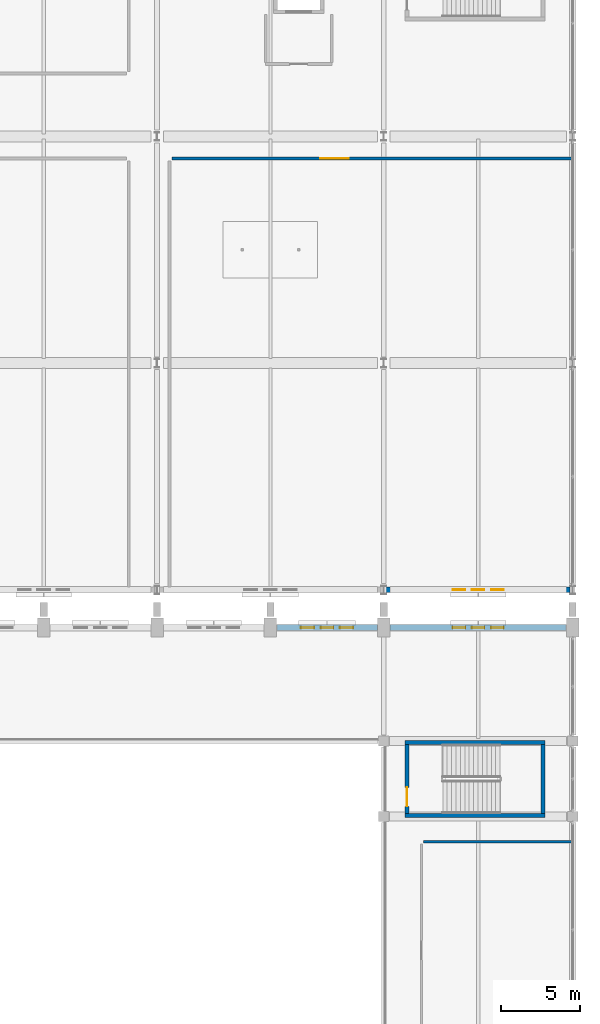
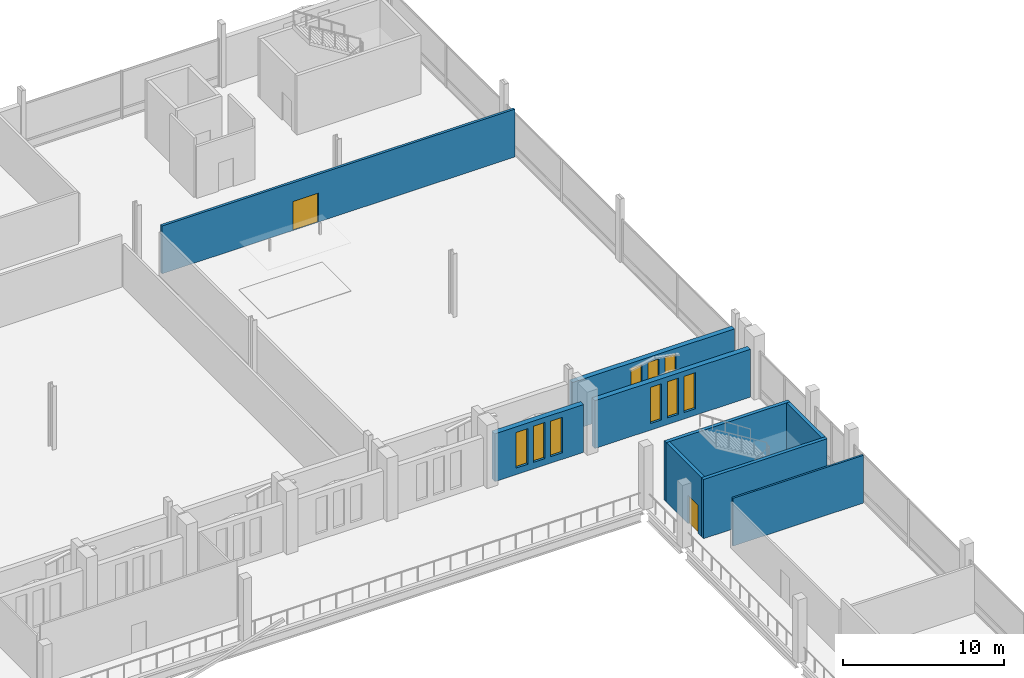
# One storey, part 168 of 220: 9 walls, 9 windows, 2 doors, 11 openings.
"""IFC4 building model written with IfcOpenShell, lengths in metres."""

from ifc_helpers import new_model, si_unit, direction, frame, frame_2d, origin, place, context, subcontext, project, spatial, rectangle, extrude, material, layer, layer_set, type_object, element, fill, save


model = new_model("IFC4")

# Units and contexts
model_context = context("Model", 3, precision=1e-05, world=origin(), true_north=direction((0.0, 1.0)))
body_context = subcontext(model_context, "Body", "Model", "MODEL_VIEW")
ifc_project = project(units=[si_unit("LENGTHUNIT", "METRE"), si_unit("AREAUNIT", "SQUARE_METRE"), si_unit("VOLUMEUNIT", "CUBIC_METRE"), si_unit("PLANEANGLEUNIT", "RADIAN"), si_unit("MASSUNIT", "GRAM", prefix="KILO")], contexts=[model_context])

# Site, building, storey
site_placement = place(None, origin())
site = spatial("IfcSite", under=ifc_project, at=site_placement, CompositionType="ELEMENT")
building_placement = place(site_placement, origin())
building = spatial("IfcBuilding", under=site, at=building_placement, Name="Cendralis Lancet Convention Centre", CompositionType="ELEMENT")
storey_placement = place(building_placement, frame((0.0, 0.0, 5.39990234375)))
storey = spatial("IfcBuildingStorey", under=building, at=storey_placement, Name="L01", CompositionType="ELEMENT", Elevation=5.39990234375)

# Wall, openings, windows
ifc_material_1 = material(Name="Buff sandstone ashlar and Concrete G40 (C40/50)", Category="masonry")
ifc_layer_1 = layer(ifc_material_1, 0.360107421875, Name="Buff sandstone ashlar and Concrete G40 (C40/50)")
ifc_layer_set_1 = layer_set([ifc_layer_1], Name="Buff sandstone ashlar and Concrete G40 (C40/50)")
wall_type_1 = type_object("IfcWallType", Name="ARC-EW-W360", PredefinedType="STANDARD", material=ifc_layer_set_1)
wall_1_placement = place(storey_placement, frame((208.64208984375, 93.60009765625, 0.0), z_axis=(0.0, 0.0, 1.0), x_axis=(-1.0, 0.0, 0.0)))
wall_1 = element("IfcWall", 1, at=wall_1_placement, inside=storey, type_object=wall_type_1, Name="L01 V3 Exterior Wall EW-04 #0155", PredefinedType="STANDARD", context=body_context, shape_type="SweptSolid", body=[
    extrude(rectangle(XDim=11.68408203125, YDim=0.360107421875, at=frame_2d((5.842041015625, 0.0))), origin(), (0.0, 0.0, 1.0), 3.635009765625),
])
opening_1_placement = place(wall_1_placement, frame((4.221923828125, 0.0, 0.5)))
opening_1 = element("IfcOpeningElement", 2, at=opening_1_placement, cuts=wall_1, Name="Opening WN-07", PredefinedType="OPENING", context=body_context, shape_type="SweptSolid", body=[
    extrude(rectangle(XDim=0.800048828125, YDim=2.75, at=frame_2d((0.39990234375, 1.375))), frame((0.0, 0.18994140625, 0.0), z_axis=(0.0, -1.0, 0.0), x_axis=(1.0, 0.0, 0.0)), (0.0, 0.0, 1.0), 0.380126953125),
])
opening_2_placement = place(wall_1_placement, frame((5.44189453125, 0.0, 0.5)))
opening_2 = element("IfcOpeningElement", 3, at=opening_2_placement, cuts=wall_1, Name="Opening WN-07", PredefinedType="OPENING", context=body_context, shape_type="SweptSolid", body=[
    extrude(rectangle(XDim=0.800048828125, YDim=2.75, at=frame_2d((0.39990234375, 1.375))), frame((0.0, 0.18994140625, 0.0), z_axis=(0.0, -1.0, 0.0), x_axis=(1.0, 0.0, 0.0)), (0.0, 0.0, 1.0), 0.380126953125),
])
opening_3_placement = place(wall_1_placement, frame((6.662109375, 0.0, 0.5)))
opening_3 = element("IfcOpeningElement", 4, at=opening_3_placement, cuts=wall_1, Name="Opening WN-07", PredefinedType="OPENING", context=body_context, shape_type="SweptSolid", body=[
    extrude(rectangle(XDim=0.800048828125, YDim=2.75, at=frame_2d((0.39990234375, 1.375))), frame((0.0, 0.18994140625, 0.0), z_axis=(0.0, -1.0, 0.0), x_axis=(1.0, 0.0, 0.0)), (0.0, 0.0, 1.0), 0.380126953125),
])
ifc_material_2 = material(Name="Double-glazed low-E solar-control glass", Category="glass")
window_type_1 = type_object("IfcWindowType", Name="ARC-WN-LW07", PartitioningType="SINGLE_PANEL", PredefinedType="WINDOW", material=ifc_material_2)
window_1_placement = place(opening_1_placement, origin())
window_1 = element("IfcWindow", 5, at=window_1_placement, inside=storey, type_object=window_type_1, Name="Gothic Lancet Window WN-07 #0302", OverallHeight=2.75, OverallWidth=0.800048828125, PartitioningType="SINGLE_PANEL", PredefinedType="WINDOW", context=body_context, shape_type="SweptSolid", body=[
    extrude(rectangle(XDim=0.800048828125, YDim=2.75, at=frame_2d((0.39990234375, 1.375))), frame((0.0, 0.030029296875, 0.0), z_axis=(0.0, -1.0, 0.0), x_axis=(1.0, 0.0, 0.0)), (0.0, 0.0, 1.0), 0.06005859375),
])
fill(opening_1, window_1)
window_2_placement = place(opening_2_placement, origin())
window_2 = element("IfcWindow", 6, at=window_2_placement, inside=storey, type_object=window_type_1, Name="Gothic Lancet Window WN-07 #0303", OverallHeight=2.75, OverallWidth=0.800048828125, PartitioningType="SINGLE_PANEL", PredefinedType="WINDOW", context=body_context, shape_type="SweptSolid", body=[
    extrude(rectangle(XDim=0.800048828125, YDim=2.75, at=frame_2d((0.39990234375, 1.375))), frame((0.0, 0.030029296875, 0.0), z_axis=(0.0, -1.0, 0.0), x_axis=(1.0, 0.0, 0.0)), (0.0, 0.0, 1.0), 0.06005859375),
])
fill(opening_2, window_2)
window_3_placement = place(opening_3_placement, origin())
window_3 = element("IfcWindow", 7, at=window_3_placement, inside=storey, type_object=window_type_1, Name="Gothic Lancet Window WN-07 #0304", OverallHeight=2.75, OverallWidth=0.800048828125, PartitioningType="SINGLE_PANEL", PredefinedType="WINDOW", context=body_context, shape_type="SweptSolid", body=[
    extrude(rectangle(XDim=0.800048828125, YDim=2.75, at=frame_2d((0.39990234375, 1.375))), frame((0.0, 0.030029296875, 0.0), z_axis=(0.0, -1.0, 0.0), x_axis=(1.0, 0.0, 0.0)), (0.0, 0.0, 1.0), 0.06005859375),
])
fill(opening_3, window_3)

ifc_layer_2 = layer(ifc_material_1, 0.3798828125, Name="Buff sandstone ashlar and Concrete G40 (C40/50)")
ifc_layer_set_2 = layer_set([ifc_layer_2], Name="Buff sandstone ashlar and Concrete G40 (C40/50)")
wall_type_2 = type_object("IfcWallType", Name="ARC-EW-W380", PredefinedType="STANDARD", material=ifc_layer_set_2)
wall_2_placement = place(storey_placement, frame((190.008056640625, 91.199951171875, 0.0), z_axis=(0.0, 0.0, 1.0), x_axis=(1.0, 0.0, 0.0)))
wall_2 = element("IfcWall", 8, at=wall_2_placement, inside=storey, type_object=wall_type_2, Name="L01 V2 Exterior Wall EW-03 #0106", PredefinedType="STANDARD", context=body_context, shape_type="SweptSolid", body=[
    extrude(rectangle(XDim=6.384033203125, YDim=0.3798828125, at=frame_2d((3.19189453125, 0.0))), origin(), (0.0, 0.0, 1.0), 3.635009765625),
])
opening_4_placement = place(wall_2_placement, frame((1.531982421875, 0.0, 0.5)))
opening_4 = element("IfcOpeningElement", 9, at=opening_4_placement, cuts=wall_2, Name="Opening WN-15", PredefinedType="OPENING", context=body_context, shape_type="SweptSolid", body=[
    extrude(rectangle(XDim=0.840087890625, YDim=2.699951171875, at=frame_2d((0.419921875, 1.35009765625))), frame((0.0, 0.199951171875, 0.0), z_axis=(0.0, -1.0, 0.0), x_axis=(1.0, 0.0, 0.0)), (0.0, 0.0, 1.0), 0.39990234375),
])
opening_5_placement = place(wall_2_placement, frame((2.7919921875, 0.0, 0.5)))
opening_5 = element("IfcOpeningElement", 10, at=opening_5_placement, cuts=wall_2, Name="Opening WN-07", PredefinedType="OPENING", context=body_context, shape_type="SweptSolid", body=[
    extrude(rectangle(XDim=0.800048828125, YDim=2.75, at=frame_2d((0.39990234375, 1.375))), frame((0.0, 0.199951171875, 0.0), z_axis=(0.0, -1.0, 0.0), x_axis=(1.0, 0.0, 0.0)), (0.0, 0.0, 1.0), 0.39990234375),
])
opening_6_placement = place(wall_2_placement, frame((4.011962890625, 0.0, 0.5)))
opening_6 = element("IfcOpeningElement", 11, at=opening_6_placement, cuts=wall_2, Name="Opening WN-15", PredefinedType="OPENING", context=body_context, shape_type="SweptSolid", body=[
    extrude(rectangle(XDim=0.840087890625, YDim=2.699951171875, at=frame_2d((0.419921875, 1.35009765625))), frame((0.0, 0.199951171875, 0.0), z_axis=(0.0, -1.0, 0.0), x_axis=(1.0, 0.0, 0.0)), (0.0, 0.0, 1.0), 0.39990234375),
])
window_4_placement = place(opening_5_placement, origin())
window_4 = element("IfcWindow", 12, at=window_4_placement, inside=storey, type_object=window_type_1, Name="Gothic Lancet Window WN-07 #0196", OverallHeight=2.75, OverallWidth=0.800048828125, PartitioningType="SINGLE_PANEL", PredefinedType="WINDOW", context=body_context, shape_type="SweptSolid", body=[
    extrude(rectangle(XDim=0.800048828125, YDim=2.75, at=frame_2d((0.39990234375, 1.375))), frame((0.0, 0.030029296875, 0.0), z_axis=(0.0, -1.0, 0.0), x_axis=(1.0, 0.0, 0.0)), (0.0, 0.0, 1.0), 0.06005859375),
])
fill(opening_5, window_4)
window_type_2 = type_object("IfcWindowType", Name="ARC-WN-LW15", PartitioningType="SINGLE_PANEL", PredefinedType="WINDOW", material=ifc_material_2)
window_5_placement = place(opening_4_placement, origin())
window_5 = element("IfcWindow", 13, at=window_5_placement, inside=storey, type_object=window_type_2, Name="Gothic Lancet Window WN-15 #0195", OverallHeight=2.699951171875, OverallWidth=0.840087890625, PartitioningType="SINGLE_PANEL", PredefinedType="WINDOW", context=body_context, shape_type="SweptSolid", body=[
    extrude(rectangle(XDim=0.840087890625, YDim=2.699951171875, at=frame_2d((0.419921875, 1.35009765625))), frame((0.0, 0.030029296875, 0.0), z_axis=(0.0, -1.0, 0.0), x_axis=(1.0, 0.0, 0.0)), (0.0, 0.0, 1.0), 0.06005859375),
])
fill(opening_4, window_5)
window_6_placement = place(opening_6_placement, origin())
window_6 = element("IfcWindow", 14, at=window_6_placement, inside=storey, type_object=window_type_2, Name="Gothic Lancet Window WN-15 #0197", OverallHeight=2.699951171875, OverallWidth=0.840087890625, PartitioningType="SINGLE_PANEL", PredefinedType="WINDOW", context=body_context, shape_type="SweptSolid", body=[
    extrude(rectangle(XDim=0.840087890625, YDim=2.699951171875, at=frame_2d((0.419921875, 1.35009765625))), frame((0.0, 0.030029296875, 0.0), z_axis=(0.0, -1.0, 0.0), x_axis=(1.0, 0.0, 0.0)), (0.0, 0.0, 1.0), 0.06005859375),
])
fill(opening_6, window_6)

wall_3_placement = place(storey_placement, frame((197.2080078125, 91.199951171875, 0.0), z_axis=(0.0, 0.0, 1.0), x_axis=(1.0, 0.0, 0.0)))
wall_3 = element("IfcWall", 15, at=wall_3_placement, inside=storey, type_object=wall_type_2, Name="L01 V2 Exterior Wall EW-03 #0107", PredefinedType="STANDARD", context=body_context, shape_type="SweptSolid", body=[
    extrude(rectangle(XDim=11.18408203125, YDim=0.3798828125, at=frame_2d((5.592041015625, 0.0))), origin(), (0.0, 0.0, 1.0), 3.635009765625),
])
opening_7_placement = place(wall_3_placement, frame((3.971923828125, 0.0, 0.5)))
opening_7 = element("IfcOpeningElement", 16, at=opening_7_placement, cuts=wall_3, Name="Opening WN-07", PredefinedType="OPENING", context=body_context, shape_type="SweptSolid", body=[
    extrude(rectangle(XDim=0.800048828125, YDim=2.75, at=frame_2d((0.39990234375, 1.375))), frame((0.0, 0.199951171875, 0.0), z_axis=(0.0, -1.0, 0.0), x_axis=(1.0, 0.0, 0.0)), (0.0, 0.0, 1.0), 0.39990234375),
])
opening_8_placement = place(wall_3_placement, frame((5.19189453125, 0.0, 0.5)))
opening_8 = element("IfcOpeningElement", 17, at=opening_8_placement, cuts=wall_3, Name="Opening WN-07", PredefinedType="OPENING", context=body_context, shape_type="SweptSolid", body=[
    extrude(rectangle(XDim=0.800048828125, YDim=2.75, at=frame_2d((0.39990234375, 1.375))), frame((0.0, 0.199951171875, 0.0), z_axis=(0.0, -1.0, 0.0), x_axis=(1.0, 0.0, 0.0)), (0.0, 0.0, 1.0), 0.39990234375),
])
opening_9_placement = place(wall_3_placement, frame((6.412109375, 0.0, 0.5)))
opening_9 = element("IfcOpeningElement", 18, at=opening_9_placement, cuts=wall_3, Name="Opening WN-07", PredefinedType="OPENING", context=body_context, shape_type="SweptSolid", body=[
    extrude(rectangle(XDim=0.800048828125, YDim=2.75, at=frame_2d((0.39990234375, 1.375))), frame((0.0, 0.199951171875, 0.0), z_axis=(0.0, -1.0, 0.0), x_axis=(1.0, 0.0, 0.0)), (0.0, 0.0, 1.0), 0.39990234375),
])
window_7_placement = place(opening_7_placement, origin())
window_7 = element("IfcWindow", 19, at=window_7_placement, inside=storey, type_object=window_type_1, Name="Gothic Lancet Window WN-07 #0198", OverallHeight=2.75, OverallWidth=0.800048828125, PartitioningType="SINGLE_PANEL", PredefinedType="WINDOW", context=body_context, shape_type="SweptSolid", body=[
    extrude(rectangle(XDim=0.800048828125, YDim=2.75, at=frame_2d((0.39990234375, 1.375))), frame((0.0, 0.030029296875, 0.0), z_axis=(0.0, -1.0, 0.0), x_axis=(1.0, 0.0, 0.0)), (0.0, 0.0, 1.0), 0.06005859375),
])
fill(opening_7, window_7)
window_8_placement = place(opening_8_placement, origin())
window_8 = element("IfcWindow", 20, at=window_8_placement, inside=storey, type_object=window_type_1, Name="Gothic Lancet Window WN-07 #0199", OverallHeight=2.75, OverallWidth=0.800048828125, PartitioningType="SINGLE_PANEL", PredefinedType="WINDOW", context=body_context, shape_type="SweptSolid", body=[
    extrude(rectangle(XDim=0.800048828125, YDim=2.75, at=frame_2d((0.39990234375, 1.375))), frame((0.0, 0.030029296875, 0.0), z_axis=(0.0, -1.0, 0.0), x_axis=(1.0, 0.0, 0.0)), (0.0, 0.0, 1.0), 0.06005859375),
])
fill(opening_8, window_8)
window_9_placement = place(opening_9_placement, origin())
window_9 = element("IfcWindow", 21, at=window_9_placement, inside=storey, type_object=window_type_1, Name="Gothic Lancet Window WN-07 #0200", OverallHeight=2.75, OverallWidth=0.800048828125, PartitioningType="SINGLE_PANEL", PredefinedType="WINDOW", context=body_context, shape_type="SweptSolid", body=[
    extrude(rectangle(XDim=0.800048828125, YDim=2.75, at=frame_2d((0.39990234375, 1.375))), frame((0.0, 0.030029296875, 0.0), z_axis=(0.0, -1.0, 0.0), x_axis=(1.0, 0.0, 0.0)), (0.0, 0.0, 1.0), 0.06005859375),
])
fill(opening_9, window_9)

# Wall
ifc_material_3 = material(Name="Acoustic fire-rated gypsum board on steel studs", Category="steel")
ifc_layer_3 = layer(ifc_material_3, 0.139892578125, Name="Acoustic fire-rated gypsum board on steel studs")
ifc_layer_set_3 = layer_set([ifc_layer_3], Name="Acoustic fire-rated gypsum board on steel studs")
wall_type_3 = type_object("IfcWallType", Name="ARC-IW-P140", PredefinedType="PARTITIONING", material=ifc_layer_set_3)
wall_4_placement = place(storey_placement, frame((199.340087890625, 77.60009765625, 0.0), z_axis=(0.0, 0.0, 1.0), x_axis=(1.0, 0.0, 0.0)))
element("IfcWall", 22, at=wall_4_placement, inside=storey, type_object=wall_type_3, Name="L01 Interior Partition IW-04 #0088", PredefinedType="PARTITIONING", context=body_context, shape_type="SweptSolid", body=[
    extrude(rectangle(XDim=9.3798828125, YDim=0.139892578125, at=frame_2d((4.68994140625, 0.0))), origin(), (0.0, 0.0, 1.0), 3.635009765625),
])

# Wall, opening, door
ifc_layer_4 = layer(ifc_material_3, 0.179931640625, Name="Acoustic fire-rated gypsum board on steel studs")
ifc_layer_set_4 = layer_set([ifc_layer_4], Name="Acoustic fire-rated gypsum board on steel studs")
wall_type_4 = type_object("IfcWallType", Name="ARC-IW-P180", PredefinedType="PARTITIONING", material=ifc_layer_set_4)
wall_5_placement = place(storey_placement, frame((183.340087890625, 121.0, 0.0), z_axis=(0.0, 0.0, 1.0), x_axis=(1.0, 0.0, 0.0)))
wall_5 = element("IfcWall", 23, at=wall_5_placement, inside=storey, type_object=wall_type_4, Name="L01 Interior Partition IW-02 #0163", PredefinedType="PARTITIONING", context=body_context, shape_type="SweptSolid", body=[
    extrude(rectangle(XDim=25.3798828125, YDim=0.179931640625, at=frame_2d((12.68994140625, 0.0))), origin(), (0.0, 0.0, 1.0), 3.635009765625),
])
opening_10_placement = place(wall_5_placement, frame((9.431884765625, 0.0, 0.0)))
opening_10 = element("IfcOpeningElement", 24, at=opening_10_placement, cuts=wall_5, Name="Opening ID-18", PredefinedType="OPENING", context=body_context, shape_type="SweptSolid", body=[
    extrude(rectangle(XDim=1.800048828125, YDim=2.199951171875, at=frame_2d((0.89990234375, 1.10009765625))), frame((0.0, 0.099853515625, 0.0), z_axis=(0.0, -1.0, 0.0), x_axis=(1.0, 0.0, 0.0)), (0.0, 0.0, 1.0), 0.199951171875),
])
ifc_material_4 = material(Name="Acoustic Chilean lenga timber and steel fire leaf", Category="steel")
door_type_1 = type_object("IfcDoorType", Name="ARC-DR-DB18", OperationType="NOTDEFINED", PredefinedType="DOOR", material=ifc_material_4)
door_1_placement = place(opening_10_placement, origin())
door_1 = element("IfcDoor", 25, at=door_1_placement, inside=storey, type_object=door_type_1, Name="L01-D019 L01 Interior Door ID-18 #0054", OperationType="DOUBLE_DOOR_SINGLE_SWING", OverallHeight=2.199951171875, OverallWidth=1.800048828125, PredefinedType="DOOR", context=body_context, shape_type="SweptSolid", body=[
    extrude(rectangle(XDim=1.800048828125, YDim=2.199951171875, at=frame_2d((0.89990234375, 1.10009765625))), frame((0.0, 0.02490234375, 0.0), z_axis=(0.0, -1.0, 0.0), x_axis=(1.0, 0.0, 0.0)), (0.0, 0.0, 1.0), 0.050048828125),
])
fill(opening_10, door_1)

ifc_material_5 = material(Name="Concrete G40 (C40/50)", Category="concrete")
ifc_layer_5 = layer(ifc_material_5, 0.25, Name="Concrete G40 (C40/50)")
ifc_layer_set_5 = layer_set([ifc_layer_5], Name="Concrete G40 (C40/50)")
wall_type_5 = type_object("IfcWallType", Name="STR-SW-CW250", PredefinedType="SHEAR", material=ifc_layer_set_5)
wall_6_placement = place(storey_placement, frame((198.27490234375, 79.39990234375, 0.0), z_axis=(0.0, 0.0, 1.0), x_axis=(0.0, 1.0, 0.0)))
wall_6 = element("IfcWall", 26, at=wall_6_placement, inside=storey, type_object=wall_type_5, Name="L01 Stair Core ST-10 West Shear Wall", PredefinedType="SHEAR", context=body_context, shape_type="SweptSolid", body=[
    extrude(rectangle(XDim=4.380126953125, YDim=0.25, at=frame_2d((2.18994140625, 0.0))), origin(), (0.0, 0.0, 1.0), 4.5),
])
opening_11_placement = place(wall_6_placement, frame((0.449951171875, 0.0, 0.0)))
opening_11 = element("IfcOpeningElement", 27, at=opening_11_placement, cuts=wall_6, Name="Opening SD-12", PredefinedType="OPENING", context=body_context, shape_type="SweptSolid", body=[
    extrude(rectangle(XDim=1.199951171875, YDim=2.14990234375, at=frame_2d((0.60009765625, 1.074951171875))), frame((0.0, 0.135009765625, 0.0), z_axis=(0.0, -1.0, 0.0), x_axis=(1.0, 0.0, 0.0)), (0.0, 0.0, 1.0), 0.27001953125),
])
ifc_material_6 = material(Name="Steel S355", Category="steel")
door_type_2 = type_object("IfcDoorType", Name="ARC-DR-ST12", OperationType="NOTDEFINED", PredefinedType="DOOR", material=ifc_material_6)
door_2_placement = place(opening_11_placement, frame((1.199951171875, 0.0, 0.0), z_axis=(0.0, 0.0, 1.0), x_axis=(-1.0, 0.0, 0.0)))
door_2 = element("IfcDoor", 28, at=door_2_placement, inside=storey, type_object=door_type_2, Name="L01-D077 L01 Exit Stair ST-10 Fire Door", OperationType="SINGLE_SWING_RIGHT", OverallHeight=2.14990234375, OverallWidth=1.199951171875, PredefinedType="DOOR", context=body_context, shape_type="SweptSolid", body=[
    extrude(rectangle(XDim=1.199951171875, YDim=2.14990234375, at=frame_2d((0.60009765625, 1.074951171875))), frame((0.0, 0.02490234375, 0.0), z_axis=(0.0, -1.0, 0.0), x_axis=(1.0, 0.0, 0.0)), (0.0, 0.0, 1.0), 0.050048828125),
])
fill(opening_11, door_2)

# Walls
wall_7_placement = place(storey_placement, frame((206.925048828125, 79.39990234375, 0.0), z_axis=(0.0, 0.0, 1.0), x_axis=(0.0, 1.0, 0.0)))
element("IfcWall", 29, at=wall_7_placement, inside=storey, type_object=wall_type_5, Name="L01 Stair Core ST-10 East Shear Wall", PredefinedType="SHEAR", context=body_context, shape_type="SweptSolid", body=[
    extrude(rectangle(XDim=4.380126953125, YDim=0.25, at=frame_2d((2.18994140625, 0.0))), origin(), (0.0, 0.0, 1.0), 4.5),
])
for number, where, z_axis, x_axis, name in (
    (30, (198.14990234375, 79.27490234375, 0.0), (0.0, 0.0, 1.0), (1.0, 0.0, 0.0), "L01 Stair Core ST-10 South Shear Wall"),
    (31, (198.14990234375, 83.905029296875, 0.0), (0.0, 0.0, 1.0), (1.0, 0.0, 0.0), "L01 Stair Core ST-10 North Shear Wall"),
):
    element("IfcWall", number, at=place(storey_placement, frame(where, z_axis=z_axis, x_axis=x_axis)), inside=storey, type_object=wall_type_5, Name=name, PredefinedType="SHEAR", context=body_context, shape_type="SweptSolid", body=[
        extrude(rectangle(XDim=8.900146484375, YDim=0.25, at=frame_2d((4.4501953125, 0.0))), origin(), (0.0, 0.0, 1.0), 4.5),
    ])

save(model, "model.ifc")
